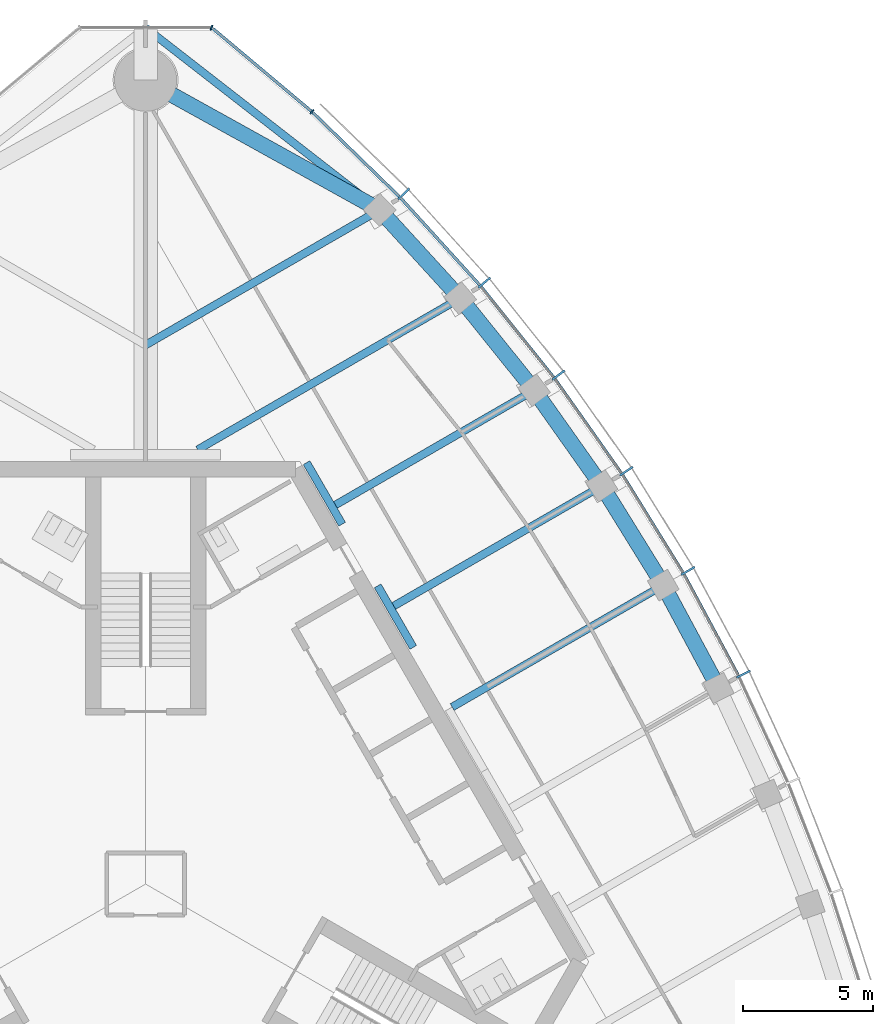
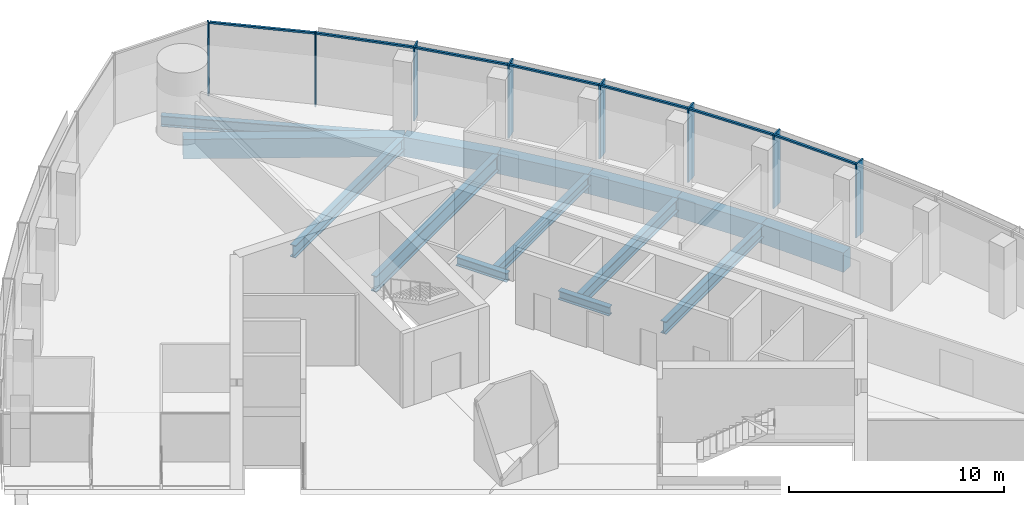
# One storey, part 6 of 16: 15 members, 14 beams, 2 elements without a shape of their own.
"""IFC4 building model written with IfcOpenShell, lengths in metres."""

from ifc_helpers import new_model, si_unit, direction, frame, origin, origin_2d, place, context, subcontext, project, spatial, rectangle, i_section, extrude, material, material_profile, profile_set, type_object, element, aggregate, save


model = new_model("IFC4")

# Units and contexts
model_context = context("Model", 3, precision=1e-05, world=origin(), true_north=direction((0.0, 1.0)))
body_context = subcontext(model_context, "Body", "Model", "MODEL_VIEW")
ifc_project = project(units=[si_unit("LENGTHUNIT", "METRE"), si_unit("AREAUNIT", "SQUARE_METRE"), si_unit("VOLUMEUNIT", "CUBIC_METRE"), si_unit("PLANEANGLEUNIT", "RADIAN"), si_unit("MASSUNIT", "GRAM", prefix="KILO")], contexts=[model_context])

# Site, building, storey
site_placement = place(None, origin())
site = spatial("IfcSite", under=ifc_project, at=site_placement, CompositionType="ELEMENT")
building_placement = place(site_placement, origin())
building = spatial("IfcBuilding", under=site, at=building_placement, Name="Trefoil Bronze Tower", CompositionType="ELEMENT")
storey_placement = place(building_placement, frame((0.0, 0.0, 301.5)))
storey = spatial("IfcBuildingStorey", under=building, at=storey_placement, Name="L69", CompositionType="ELEMENT", Elevation=301.5)

# Curtain wall, members
ifc_material_1 = material(Name="Tinted solar-control glass", Category="glass")
curtain_wall_type_1 = type_object("IfcCurtainWallType", Name="Bronze office curtain wall", PredefinedType="USERDEFINED", material=ifc_material_1)
curtain_wall_1_placement = place(storey_placement, origin())
curtain_wall_1 = element("IfcCurtainWall", 1, at=curtain_wall_1_placement, inside=storey, type_object=curtain_wall_type_1, Name="CW-A L69 F2", ObjectType="CURTAIN WALL", PredefinedType="USERDEFINED")
ifc_material_2 = material(Name="Bronze-finish aluminium", Category="aluminium")
ifc_material_profile_1 = material_profile(ifc_material_2, rectangle(XDim=0.60009765625, YDim=0.080078125, at=origin_2d()), Name="CW-A mullion")
ifc_profile_set_1 = profile_set([ifc_material_profile_1], Name="Bronze-finish aluminium")
member_type_1 = type_object("IfcMemberType", Name="Bronze office curtain wall mullion", PredefinedType="MULLION", material=ifc_profile_set_1)
member_1_placement = place(storey_placement, frame((23.056396484375, 8.094482421875, 0.0), z_axis=(0.0, 0.0, 1.0), x_axis=(-0.894713198289, -0.44664112306, 0.0)))
member_1 = element("IfcMember", 2, at=member_1_placement, type_object=member_type_1, Name="CW-A L69 F2 mullion 5", PredefinedType="MULLION", context=body_context, shape_type="SweptSolid", body=[
    extrude(rectangle(XDim=0.60009765625, YDim=0.080078125, at=origin_2d()), origin(), (0.0, 0.0, 1.0), 4.179931640625),
])
member_2_placement = place(storey_placement, frame((20.916015625, 12.07568359375, 0.0), z_axis=(0.0, 0.0, 1.0), x_axis=(-0.866025403784, -0.5, 0.0)))
member_2 = element("IfcMember", 3, at=member_2_placement, type_object=member_type_1, Name="CW-A L69 F2 mullion 6", PredefinedType="MULLION", context=body_context, shape_type="SweptSolid", body=[
    extrude(rectangle(XDim=0.60009765625, YDim=0.080078125, at=origin_2d()), origin(), (0.0, 0.0, 1.0), 4.179931640625),
])
member_3_placement = place(storey_placement, frame((18.538330078125, 15.920166015625, 0.0), z_axis=(0.0, 0.0, 1.0), x_axis=(-0.834159158089, -0.551523797289, 0.0)))
member_3 = element("IfcMember", 4, at=member_3_placement, type_object=member_type_1, Name="CW-A L69 F2 mullion 7", PredefinedType="MULLION", context=body_context, shape_type="SweptSolid", body=[
    extrude(rectangle(XDim=0.60009765625, YDim=0.080078125, at=origin_2d()), origin(), (0.0, 0.0, 1.0), 4.179931640625),
])
member_4_placement = place(storey_placement, frame((15.922607421875, 19.627197265625, 0.0), z_axis=(0.0, 0.0, 1.0), x_axis=(-0.799096076136, -0.601203344222, 0.0)))
member_4 = element("IfcMember", 5, at=member_4_placement, type_object=member_type_1, Name="CW-A L69 F2 mullion 8", PredefinedType="MULLION", context=body_context, shape_type="SweptSolid", body=[
    extrude(rectangle(XDim=0.60009765625, YDim=0.080078125, at=origin_2d()), origin(), (0.0, 0.0, 1.0), 4.179931640625),
])
member_5_placement = place(storey_placement, frame((13.064453125, 23.194091796875, 0.0), z_axis=(0.0, 0.0, 1.0), x_axis=(-0.760781190165, -0.649008459646, 0.0)))
member_5 = element("IfcMember", 6, at=member_5_placement, type_object=member_type_1, Name="CW-A L69 F2 mullion 9", PredefinedType="MULLION", context=body_context, shape_type="SweptSolid", body=[
    extrude(rectangle(XDim=0.60009765625, YDim=0.080078125, at=origin_2d()), origin(), (0.0, 0.0, 1.0), 4.179931640625),
])
member_6_placement = place(storey_placement, frame((9.957275390625, 26.617431640625, 0.0), z_axis=(0.0, 0.0, 1.0), x_axis=(-0.719001349715, -0.695008675564, 0.0)))
member_6 = element("IfcMember", 7, at=member_6_placement, type_object=member_type_1, Name="CW-A L69 F2 mullion 10", PredefinedType="MULLION", context=body_context, shape_type="SweptSolid", body=[
    extrude(rectangle(XDim=0.60009765625, YDim=0.080078125, at=origin_2d()), origin(), (0.0, 0.0, 1.0), 4.179931640625),
])
ifc_material_3 = material(Name="Bronze-finish aluminium", Category="aluminium")
ifc_material_profile_2 = material_profile(ifc_material_3, rectangle(XDim=0.1201171875, YDim=0.10009765625, at=origin_2d()), Name="CW-A transom")
ifc_profile_set_2 = profile_set([ifc_material_profile_2], Name="Bronze-finish aluminium")
member_type_2 = type_object("IfcMemberType", Name="Bronze office curtain wall transom", PredefinedType="USERDEFINED", material=ifc_profile_set_2)
member_7_placement = place(storey_placement, frame((22.857177734375, 8.043212890625, 4.1298828125), z_axis=(-0.473540024981, 0.880772300167, 0.0), x_axis=(-0.880772300167, -0.473540024981, 0.0)))
member_7 = element("IfcMember", 8, at=member_7_placement, type_object=member_type_2, Name="CW-A L69 F2 transom 5", ObjectType="TRANSOM", PredefinedType="USERDEFINED", context=body_context, shape_type="SweptSolid", body=[
    extrude(rectangle(XDim=0.1201171875, YDim=0.10009765625, at=origin_2d()), origin(), (0.0, 0.0, 1.0), 4.422119140625),
])
member_8_placement = place(storey_placement, frame((20.72021484375, 12.012451171875, 4.1298828125), z_axis=(-0.525978235299, 0.850498028212, 0.0), x_axis=(-0.850498028212, -0.525978235299, 0.0)))
member_8 = element("IfcMember", 9, at=member_8_placement, type_object=member_type_2, Name="CW-A L69 F2 transom 6", ObjectType="TRANSOM", PredefinedType="USERDEFINED", context=body_context, shape_type="SweptSolid", body=[
    extrude(rectangle(XDim=0.1201171875, YDim=0.10009765625, at=origin_2d()), origin(), (0.0, 0.0, 1.0), 4.422119140625),
])
member_9_placement = place(storey_placement, frame((18.3466796875, 15.84521484375, 4.1298828125), z_axis=(-0.5765665752, 0.817050172488, 0.0), x_axis=(-0.817050172488, -0.5765665752, 0.0)))
member_9 = element("IfcMember", 10, at=member_9_placement, type_object=member_type_2, Name="CW-A L69 F2 transom 7", ObjectType="TRANSOM", PredefinedType="USERDEFINED", context=body_context, shape_type="SweptSolid", body=[
    extrude(rectangle(XDim=0.1201171875, YDim=0.10009765625, at=origin_2d()), origin(), (0.0, 0.0, 1.0), 4.4384765625),
])
member_10_placement = place(storey_placement, frame((15.73583984375, 19.54052734375, 4.1298828125), z_axis=(-0.625300648488, 0.780383943325, 0.0), x_axis=(-0.780383943325, -0.625300648488, 0.0)))
member_10 = element("IfcMember", 11, at=member_10_placement, type_object=member_type_2, Name="CW-A L69 F2 transom 8", ObjectType="TRANSOM", PredefinedType="USERDEFINED", context=body_context, shape_type="SweptSolid", body=[
    extrude(rectangle(XDim=0.1201171875, YDim=0.10009765625, at=origin_2d()), origin(), (0.0, 0.0, 1.0), 4.472412109375),
])
member_11_placement = place(storey_placement, frame((12.88330078125, 23.09619140625, 4.1298828125), z_axis=(-0.672068269674, 0.740489190264, 0.0), x_axis=(-0.740489190264, -0.672068269674, 0.0)))
member_11 = element("IfcMember", 12, at=member_11_placement, type_object=member_type_2, Name="CW-A L69 F2 transom 9", ObjectType="TRANSOM", PredefinedType="USERDEFINED", context=body_context, shape_type="SweptSolid", body=[
    extrude(rectangle(XDim=0.1201171875, YDim=0.10009765625, at=origin_2d()), origin(), (0.0, 0.0, 1.0), 4.5244140625),
])
member_12_placement = place(storey_placement, frame((9.782470703125, 26.508544921875, 4.1298828125), z_axis=(-0.717224617883, 0.696842053484, 0.0), x_axis=(-0.696842053484, -0.717224617883, 0.0)))
member_12 = element("IfcMember", 13, at=member_12_placement, type_object=member_type_2, Name="CW-A L69 F2 transom 10", ObjectType="TRANSOM", PredefinedType="USERDEFINED", context=body_context, shape_type="SweptSolid", body=[
    extrude(rectangle(XDim=0.1201171875, YDim=0.10009765625, at=origin_2d()), origin(), (0.0, 0.0, 1.0), 4.6474609375),
])
aggregate(curtain_wall_1, [member_1, member_2, member_3, member_4, member_5, member_6, member_7, member_8, member_9, member_10, member_11, member_12])

ifc_material_4 = material(Name="Tinted solar-control glass", Category="glass")
curtain_wall_type_2 = type_object("IfcCurtainWallType", Name="Bronze rounded corner curtain wall", PredefinedType="USERDEFINED", material=ifc_material_4)
curtain_wall_2_placement = place(storey_placement, origin())
curtain_wall_2 = element("IfcCurtainWall", 14, at=curtain_wall_2_placement, inside=storey, type_object=curtain_wall_type_2, Name="CW-B L69 K2", ObjectType="CURTAIN WALL", PredefinedType="USERDEFINED")
ifc_material_5 = material(Name="Bronze-finish aluminium", Category="aluminium")
ifc_material_profile_3 = material_profile(ifc_material_5, rectangle(XDim=0.199951171875, YDim=0.06005859375, at=origin_2d()), Name="CW-B mullion")
ifc_profile_set_3 = profile_set([ifc_material_profile_3], Name="Bronze-finish aluminium")
member_type_3 = type_object("IfcMemberType", Name="Bronze rounded corner curtain wall mullion", PredefinedType="MULLION", material=ifc_profile_set_3)
member_13_placement = place(storey_placement, frame((6.4150390625, 29.77978515625, 0.0), z_axis=(0.0, 0.0, 1.0), x_axis=(-0.642787609687, -0.766044443119, 0.0)))
member_13 = element("IfcMember", 15, at=member_13_placement, type_object=member_type_3, Name="CW-B L69 K2 mullion 1", PredefinedType="MULLION", context=body_context, shape_type="SweptSolid", body=[
    extrude(rectangle(XDim=0.199951171875, YDim=0.06005859375, at=origin_2d()), origin(), (0.0, 0.0, 1.0), 4.179931640625),
])
member_14_placement = place(storey_placement, frame((2.542236328125, 33.021484375, 0.0), z_axis=(0.0, 0.0, 1.0), x_axis=(-0.342020143326, -0.939692620786, 0.0)))
member_14 = element("IfcMember", 16, at=member_14_placement, type_object=member_type_3, Name="CW-B L69 K2 mullion 2", PredefinedType="MULLION", context=body_context, shape_type="SweptSolid", body=[
    extrude(rectangle(XDim=0.199951171875, YDim=0.06005859375, at=origin_2d()), origin(), (0.0, 0.0, 1.0), 4.179931640625),
])
ifc_material_6 = material(Name="Bronze-finish aluminium", Category="aluminium")
ifc_material_profile_4 = material_profile(ifc_material_6, rectangle(XDim=0.1201171875, YDim=0.10009765625, at=origin_2d()), Name="CW-B transom")
ifc_profile_set_4 = profile_set([ifc_material_profile_4], Name="Bronze-finish aluminium")
member_type_4 = type_object("IfcMemberType", Name="Bronze rounded corner curtain wall transom", PredefinedType="USERDEFINED", material=ifc_profile_set_4)
member_15_placement = place(storey_placement, frame((6.39208984375, 29.799072265625, 4.1298828125), z_axis=(-0.766040522511, 0.642792282056, 0.0), x_axis=(-0.642792282056, -0.766040522511, 0.0)))
member_15 = element("IfcMember", 17, at=member_15_placement, type_object=member_type_4, Name="CW-B L69 K2 transom 1", ObjectType="TRANSOM", PredefinedType="USERDEFINED", context=body_context, shape_type="SweptSolid", body=[
    extrude(rectangle(XDim=0.1201171875, YDim=0.10009765625, at=origin_2d()), origin(), (0.0, 0.0, 1.0), 4.9560546875),
])
aggregate(curtain_wall_2, [member_13, member_14, member_15])

# Beams
ifc_material_7 = material(Name="Steel C355", Category="steel")
ifc_material_profile_5 = material_profile(ifc_material_7, i_section(OverallWidth=0.300048828125, OverallDepth=0.5, WebThickness=0.014404296875, FlangeThickness=0.028076171875, FilletRadius=0.027099609375, at=origin_2d()), Name="HEB 500")
ifc_profile_set_5 = profile_set([ifc_material_profile_5], Name="Steel C355")
beam_type_1 = type_object("IfcBeamType", Name="Core seat beam HEB 500", PredefinedType="BEAM", material=ifc_profile_set_5)
for number, where, z_axis, x_axis, name in (
    (18, (10.320068359375, 9.125, -0.449951171875), (-0.499969057507, 0.866043267704, 0.0), (-0.866043267704, -0.499969057507, 0.0), "Core seat beam F2/+1 L69"),
    (19, (7.57763671875, 13.875, -0.449951171875), (-0.499969057507, 0.866043267704, 0.0), (-0.866043267704, -0.499969057507, 0.0), "Core seat beam F2/+2 L69"),
):
    element("IfcBeam", number, at=place(storey_placement, frame(where, z_axis=z_axis, x_axis=x_axis)), inside=storey, type_object=beam_type_1, Name=name, PredefinedType="BEAM", context=body_context, shape_type="SweptSolid", body=[
        extrude(i_section(OverallWidth=0.300048828125, OverallDepth=0.5, WebThickness=0.014404296875, FlangeThickness=0.028076171875, FilletRadius=0.027099609375, at=origin_2d()), origin(), (0.0, 0.0, 1.0), 2.742431640625),
    ])
ifc_material_8 = material(Name="Steel C355", Category="steel")
ifc_material_profile_6 = material_profile(ifc_material_8, i_section(OverallWidth=0.300048828125, OverallDepth=0.60009765625, WebThickness=0.015380859375, FlangeThickness=0.030029296875, FilletRadius=0.027099609375, at=origin_2d()), Name="HEB 600")
ifc_profile_set_6 = profile_set([ifc_material_profile_6], Name="Steel C355")
beam_type_2 = type_object("IfcBeamType", Name="Corner edge beam HEB 600", PredefinedType="BEAM", material=ifc_profile_set_6)
beam_1_placement = place(storey_placement, frame((9.02734375, 25.99658203125, -0.5), z_axis=(-0.789270604977, 0.614045529354, 0.0), x_axis=(-0.614045529354, -0.789270604977, 0.0)))
element("IfcBeam", 20, at=beam_1_placement, inside=storey, type_object=beam_type_2, Name="Corner edge beam F2A L69", PredefinedType="BEAM", context=body_context, shape_type="SweptSolid", body=[
    extrude(i_section(OverallWidth=0.300048828125, OverallDepth=0.60009765625, WebThickness=0.015380859375, FlangeThickness=0.030029296875, FilletRadius=0.027099609375, at=origin_2d()), origin(), (0.0, 0.0, 1.0), 11.4375),
])
ifc_material_9 = material(Name="Concrete B80", Category="concrete")
ifc_material_profile_7 = material_profile(ifc_material_9, rectangle(XDim=0.60009765625, YDim=1.10009765625, at=origin_2d()), Name="RC 600x1100")
ifc_profile_set_7 = profile_set([ifc_material_profile_7], Name="Concrete B80")
beam_type_3 = type_object("IfcBeamType", Name="End spandrel beam RC 600x1100", PredefinedType="SPANDREL", material=ifc_profile_set_7)
beam_2_placement = place(storey_placement, frame((9.02734375, 25.99658203125, -0.75), z_axis=(-0.874641085074, 0.484771051426, 0.0), x_axis=(-0.484771051426, -0.874641085074, 0.0)))
element("IfcBeam", 21, at=beam_2_placement, inside=storey, type_object=beam_type_3, Name="Spandrel F2.10 L69", PredefinedType="SPANDREL", context=body_context, shape_type="SweptSolid", body=[
    extrude(rectangle(XDim=0.60009765625, YDim=1.10009765625, at=origin_2d()), origin(), (0.0, 0.0, 1.0), 10.3212890625),
])
ifc_material_10 = material(Name="Steel C355", Category="steel")
ifc_material_profile_8 = material_profile(ifc_material_10, i_section(OverallWidth=0.300048828125, OverallDepth=0.60009765625, WebThickness=0.015380859375, FlangeThickness=0.030029296875, FilletRadius=0.027099609375, at=origin_2d()), Name="HEB 600")
ifc_profile_set_8 = profile_set([ifc_material_profile_8], Name="Steel C355")
beam_type_4 = type_object("IfcBeamType", Name="Floor beam HEB 600", PredefinedType="BEAM", material=ifc_profile_set_8)
beam_3_placement = place(storey_placement, frame((14.98486328125, 19.043701171875, -0.5), z_axis=(-0.866025701847, -0.499999483739, 0.0), x_axis=(0.499999483739, -0.866025701847, 0.0)))
element("IfcBeam", 22, at=beam_3_placement, inside=storey, type_object=beam_type_4, Name="Floor beam F2/+2 L69", PredefinedType="BEAM", context=body_context, shape_type="SweptSolid", body=[
    extrude(i_section(OverallWidth=0.300048828125, OverallDepth=0.60009765625, WebThickness=0.015380859375, FlangeThickness=0.030029296875, FilletRadius=0.027099609375, at=origin_2d()), origin(), (0.0, 0.0, 1.0), 8.84912109375),
])
ifc_material_11 = material(Name="Steel C355", Category="steel")
ifc_material_profile_9 = material_profile(ifc_material_11, i_section(OverallWidth=0.300048828125, OverallDepth=0.699951171875, WebThickness=0.01708984375, FlangeThickness=0.031982421875, FilletRadius=0.027099609375, at=origin_2d()), Name="HEB 700")
ifc_profile_set_9 = profile_set([ifc_material_profile_9], Name="Steel C355")
beam_type_5 = type_object("IfcBeamType", Name="Floor beam HEB 700", PredefinedType="BEAM", material=ifc_profile_set_9)
beam_4_placement = place(storey_placement, frame((19.96337890625, 11.52587890625, -0.550048828125), z_axis=(-0.866021259968, -0.500007177232, 0.0), x_axis=(0.500007177232, -0.866021259968, 0.0)))
element("IfcBeam", 23, at=beam_4_placement, inside=storey, type_object=beam_type_5, Name="Floor beam F2/+0 L69", PredefinedType="BEAM", context=body_context, shape_type="SweptSolid", body=[
    extrude(i_section(OverallWidth=0.300048828125, OverallDepth=0.699951171875, WebThickness=0.01708984375, FlangeThickness=0.031982421875, FilletRadius=0.027099609375, at=origin_2d()), origin(), (0.0, 0.0, 1.0), 9.401611328125),
])
beam_5_placement = place(storey_placement, frame((17.593994140625, 15.35400390625, -0.550048828125), z_axis=(-0.866028909405, -0.499993928037, 0.0), x_axis=(0.499993928037, -0.866028909405, 0.0)))
element("IfcBeam", 24, at=beam_5_placement, inside=storey, type_object=beam_type_5, Name="Floor beam F2/+1 L69", PredefinedType="BEAM", context=body_context, shape_type="SweptSolid", body=[
    extrude(i_section(OverallWidth=0.300048828125, OverallDepth=0.699951171875, WebThickness=0.01708984375, FlangeThickness=0.031982421875, FilletRadius=0.027099609375, at=origin_2d()), origin(), (0.0, 0.0, 1.0), 9.263671875),
])
beam_6_placement = place(storey_placement, frame((9.02734375, 25.99658203125, -0.550048828125), z_axis=(-0.866026453994, -0.499998180979, 0.0), x_axis=(0.499998180979, -0.866026453994, 0.0)))
element("IfcBeam", 25, at=beam_6_placement, inside=storey, type_object=beam_type_5, Name="Floor beam F2/+4 L69", PredefinedType="BEAM", context=body_context, shape_type="SweptSolid", body=[
    extrude(i_section(OverallWidth=0.300048828125, OverallDepth=0.699951171875, WebThickness=0.01708984375, FlangeThickness=0.031982421875, FilletRadius=0.027099609375, at=origin_2d()), origin(), (0.0, 0.0, 1.0), 10.423828125),
])
ifc_material_12 = material(Name="Steel C355", Category="steel")
ifc_material_profile_10 = material_profile(ifc_material_12, i_section(OverallWidth=0.300048828125, OverallDepth=0.89990234375, WebThickness=0.0185546875, FlangeThickness=0.034912109375, FilletRadius=0.030029296875, at=origin_2d()), Name="HEB 900")
ifc_profile_set_10 = profile_set([ifc_material_profile_10], Name="Steel C355")
beam_type_6 = type_object("IfcBeamType", Name="Floor beam HEB 900", PredefinedType="BEAM", material=ifc_profile_set_10)
beam_7_placement = place(storey_placement, frame((12.131591796875, 22.5927734375, -0.64990234375), z_axis=(-0.866017882563, -0.500013026912, 0.0), x_axis=(0.500013026912, -0.866017882563, 0.0)))
element("IfcBeam", 26, at=beam_7_placement, inside=storey, type_object=beam_type_6, Name="Floor beam F2/+3 L69", PredefinedType="BEAM", context=body_context, shape_type="SweptSolid", body=[
    extrude(i_section(OverallWidth=0.300048828125, OverallDepth=0.89990234375, WebThickness=0.0185546875, FlangeThickness=0.034912109375, FilletRadius=0.030029296875, at=origin_2d()), origin(), (0.0, 0.0, 1.0), 11.685302734375),
])
ifc_material_13 = material(Name="Concrete B80", Category="concrete")
ifc_material_profile_11 = material_profile(ifc_material_13, rectangle(XDim=0.60009765625, YDim=1.10009765625, at=origin_2d()), Name="RC 600x1100")
ifc_profile_set_11 = profile_set([ifc_material_profile_11], Name="Concrete B80")
beam_type_7 = type_object("IfcBeamType", Name="Spandrel beam RC 600x1100", PredefinedType="SPANDREL", material=ifc_profile_set_11)
beam_8_placement = place(storey_placement, frame((22.093994140625, 7.559814453125, -0.75), z_axis=(-0.473245885676, 0.880930378458, 0.0), x_axis=(-0.880930378458, -0.473245885676, 0.0)))
element("IfcBeam", 27, at=beam_8_placement, inside=storey, type_object=beam_type_7, Name="Spandrel F2.5 L69", PredefinedType="SPANDREL", context=body_context, shape_type="SweptSolid", body=[
    extrude(rectangle(XDim=0.60009765625, YDim=1.10009765625, at=origin_2d()), origin(), (0.0, 0.0, 1.0), 4.502197265625),
])
beam_9_placement = place(storey_placement, frame((19.96337890625, 11.52587890625, -0.75), z_axis=(-0.526289271956, 0.850305593433, 0.0), x_axis=(-0.850305593433, -0.526289271956, 0.0)))
element("IfcBeam", 28, at=beam_9_placement, inside=storey, type_object=beam_type_7, Name="Spandrel F2.6 L69", PredefinedType="SPANDREL", context=body_context, shape_type="SweptSolid", body=[
    extrude(rectangle(XDim=0.60009765625, YDim=1.10009765625, at=origin_2d()), origin(), (0.0, 0.0, 1.0), 4.501953125),
])
beam_10_placement = place(storey_placement, frame((17.593994140625, 15.35400390625, -0.75), z_axis=(-0.577368105169, 0.816483968693, 0.0), x_axis=(-0.816483968693, -0.577368105169, 0.0)))
element("IfcBeam", 29, at=beam_10_placement, inside=storey, type_object=beam_type_7, Name="Spandrel F2.7 L69", PredefinedType="SPANDREL", context=body_context, shape_type="SweptSolid", body=[
    extrude(rectangle(XDim=0.60009765625, YDim=1.10009765625, at=origin_2d()), origin(), (0.0, 0.0, 1.0), 4.51904296875),
])
beam_11_placement = place(storey_placement, frame((14.98486328125, 19.043701171875, -0.75), z_axis=(-0.626569682592, 0.779365403939, 0.0), x_axis=(-0.779365403939, -0.626569682592, 0.0)))
element("IfcBeam", 30, at=beam_11_placement, inside=storey, type_object=beam_type_7, Name="Spandrel F2.8 L69", PredefinedType="SPANDREL", context=body_context, shape_type="SweptSolid", body=[
    extrude(rectangle(XDim=0.60009765625, YDim=1.10009765625, at=origin_2d()), origin(), (0.0, 0.0, 1.0), 4.5537109375),
])
beam_12_placement = place(storey_placement, frame((12.131591796875, 22.5927734375, -0.75), z_axis=(-0.673845775847, 0.738872025707, 0.0), x_axis=(-0.738872025707, -0.673845775847, 0.0)))
element("IfcBeam", 31, at=beam_12_placement, inside=storey, type_object=beam_type_7, Name="Spandrel F2.9 L69", PredefinedType="SPANDREL", context=body_context, shape_type="SweptSolid", body=[
    extrude(rectangle(XDim=0.60009765625, YDim=1.10009765625, at=origin_2d()), origin(), (0.0, 0.0, 1.0), 4.606689453125),
])

save(model, "model.ifc")
